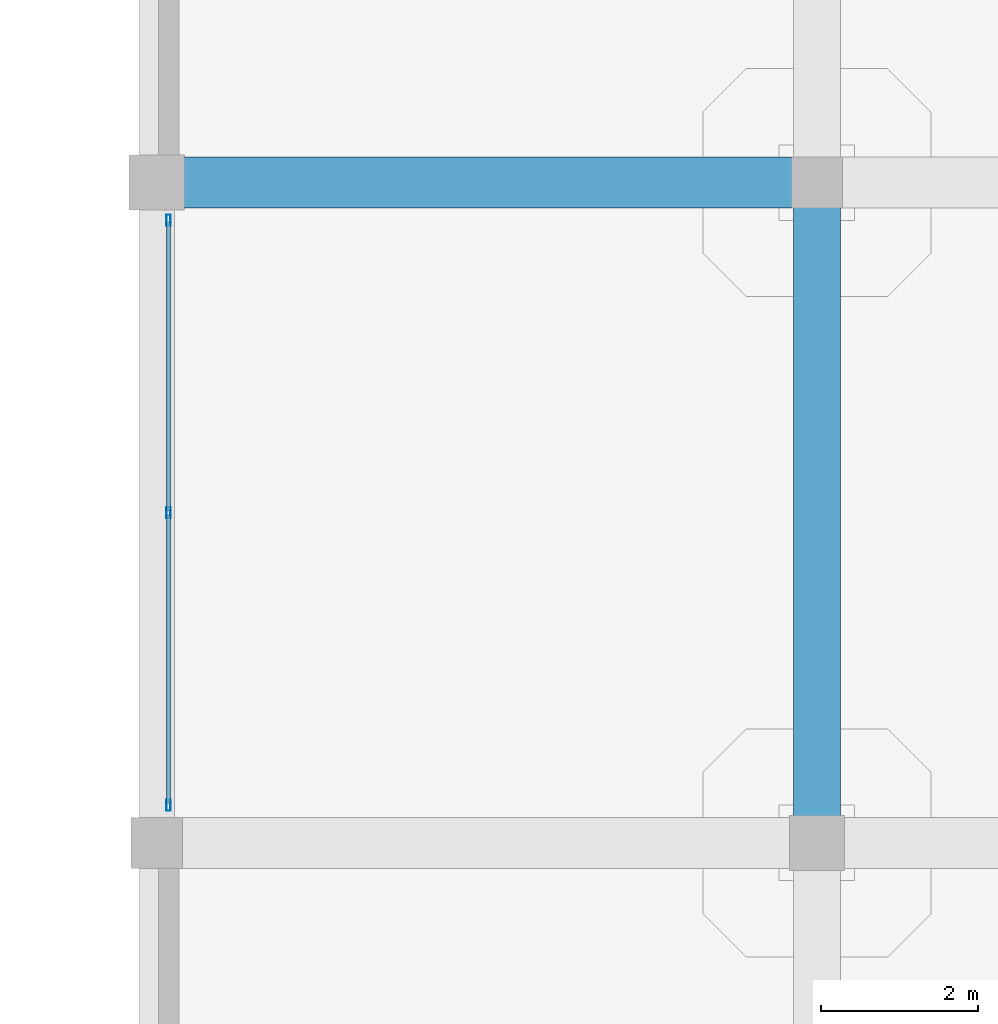
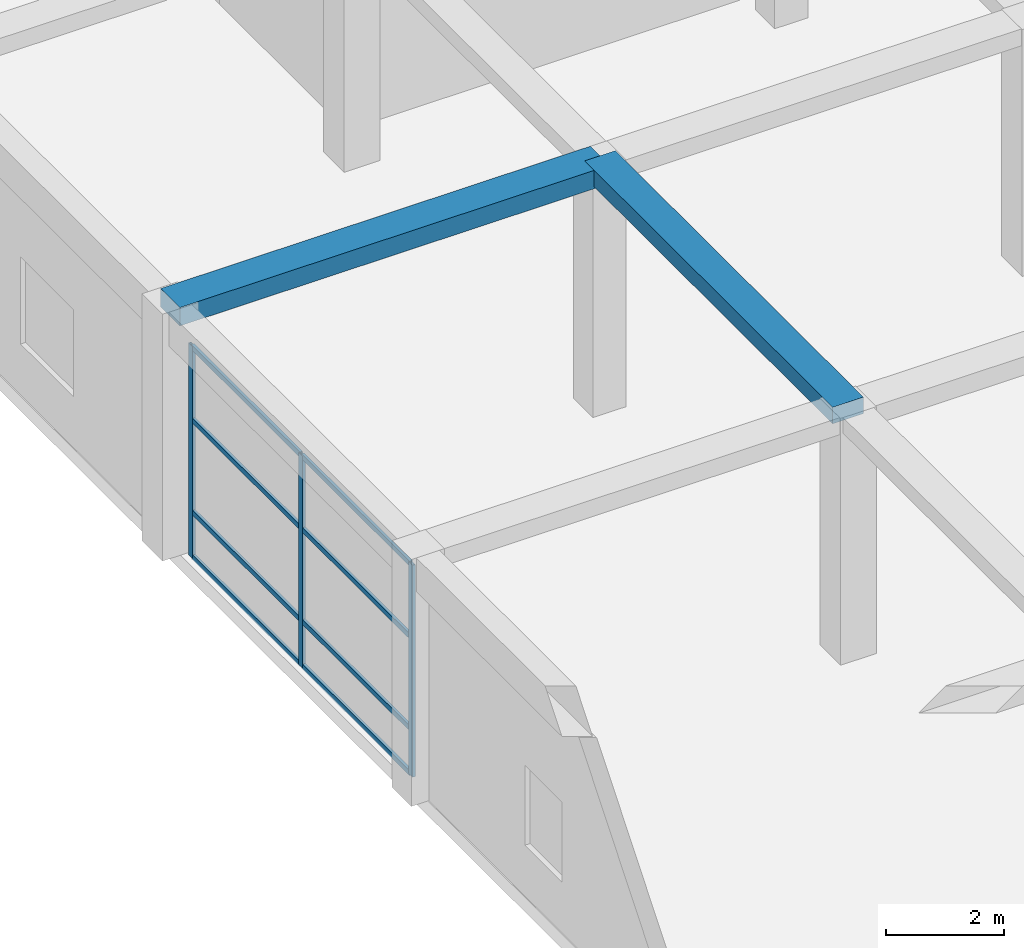
# One storey, part 31 of 95: 11 members, 2 beams, 1 element without a shape of its own.
"""IFC4 building model written with IfcOpenShell, lengths in metres."""

from ifc_helpers import new_model, si_unit, direction, frame, origin, origin_2d, place, context, subcontext, project, spatial, rectangle, hollow_rectangle, extrude, material, material_profile, profile_set, type_object, element, aggregate, save


model = new_model("IFC4")

# Units and contexts
model_context = context("Model", 3, precision=1e-05, world=origin(), true_north=direction((0.0, 1.0)))
body_context = subcontext(model_context, "Body", "Model", "MODEL_VIEW")
ifc_project = project(units=[si_unit("LENGTHUNIT", "METRE"), si_unit("AREAUNIT", "SQUARE_METRE"), si_unit("VOLUMEUNIT", "CUBIC_METRE"), si_unit("PLANEANGLEUNIT", "RADIAN"), si_unit("MASSUNIT", "GRAM", prefix="KILO")], contexts=[model_context])

# Site, building, storey
site_placement = place(None, origin())
site = spatial("IfcSite", under=ifc_project, at=site_placement, CompositionType="ELEMENT")
building_placement = place(site_placement, origin())
building = spatial("IfcBuilding", under=site, at=building_placement, Name="Almacenes y Pasaje Nevantli", CompositionType="ELEMENT")
storey_placement = place(building_placement, frame((0.0, 0.0, 11.39990234375)))
storey = spatial("IfcBuildingStorey", under=building, at=storey_placement, Name="L03", CompositionType="ELEMENT", Elevation=11.39990234375)

# Beams
ifc_material_1 = material(Name="Concrete C35/45", Category="concrete")
ifc_material_profile_1 = material_profile(ifc_material_1, rectangle(XDim=0.60009765625, YDim=0.340087890625, at=origin_2d()), Name="RC-BM-600x340")
ifc_profile_set_1 = profile_set([ifc_material_profile_1], Name="Concrete C35/45")
beam_type_1 = type_object("IfcBeamType", Name="BM-RC-600x340", PredefinedType="BEAM", material=ifc_profile_set_1)
beam_1_placement = place(storey_placement, frame((8.39990234375, 75.60009765625, 4.93017578125), z_axis=(0.0, 1.0, 0.0), x_axis=(-1.0, 0.0, 0.0)))
element("IfcBeam", 1, at=beam_1_placement, inside=storey, type_object=beam_type_1, Name="L03 North-South Reinforced Concrete Beam #2497", PredefinedType="BEAM", context=body_context, shape_type="SweptSolid", body=[
    extrude(rectangle(XDim=0.60009765625, YDim=0.340087890625, at=origin_2d()), origin(), (0.0, 0.0, 1.0), 8.39990234375),
])
ifc_material_2 = material(Name="Concrete C35/45", Category="concrete")
ifc_material_profile_2 = material_profile(ifc_material_2, rectangle(XDim=0.64990234375, YDim=0.3798828125, at=origin_2d()), Name="RC-BM-650x380")
ifc_profile_set_2 = profile_set([ifc_material_profile_2], Name="Concrete C35/45")
beam_type_2 = type_object("IfcBeamType", Name="BM-RC-650x380", PredefinedType="BEAM", material=ifc_profile_set_2)
beam_2_placement = place(storey_placement, frame((0.0, 84.0, 4.91015625), z_axis=(1.0, 0.0, 0.0), x_axis=(0.0, 1.0, 0.0)))
element("IfcBeam", 2, at=beam_2_placement, inside=storey, type_object=beam_type_2, Name="L03 East-West Reinforced Concrete Beam #2392", PredefinedType="BEAM", context=body_context, shape_type="SweptSolid", body=[
    extrude(rectangle(XDim=0.64990234375, YDim=0.3798828125, at=origin_2d()), origin(), (0.0, 0.0, 1.0), 8.39990234375),
])

# Curtain wall, members
ifc_material_3 = material(Name="Thermally Broken Aluminium and Low-E Glass", Category="aluminium")
curtain_wall_type = type_object("IfcCurtainWallType", Name="CW-UNIT-PODIUM", PredefinedType="USERDEFINED", material=ifc_material_3)
curtain_wall_placement = place(storey_placement, origin())
curtain_wall = element("IfcCurtainWall", 3, at=curtain_wall_placement, inside=storey, type_object=curtain_wall_type, Name="L03 West Avenue Unitized Curtain Wall Bay 10", ObjectType="UNITIZED CURTAIN WALL", PredefinedType="USERDEFINED")
ifc_material_4 = material(Name="Thermally Broken Anodized Aluminium", Category="aluminium")
ifc_material_profile_3 = material_profile(ifc_material_4, hollow_rectangle(XDim=0.054931640625, YDim=0.139892578125, WallThickness=0.00341796875, at=origin_2d()), Name="ALU-MUL-55x140")
ifc_profile_set_3 = profile_set([ifc_material_profile_3], Name="Thermally Broken Anodized Aluminium")
member_type_1 = type_object("IfcMemberType", Name="CW-MUL-160", PredefinedType="MULLION", material=ifc_profile_set_3)
member_1_placement = place(storey_placement, frame((0.14990234375, 76.077392578125, 0.0), z_axis=(0.0, 0.0, 1.0), x_axis=(-1.0, 0.0, 0.0)))
member_1 = element("IfcMember", 4, at=member_1_placement, type_object=member_type_1, Name="CW-L03-051 mullion 1", PredefinedType="MULLION", context=body_context, shape_type="SweptSolid", body=[
    extrude(hollow_rectangle(XDim=0.054931640625, YDim=0.139892578125, WallThickness=0.00341796875, at=origin_2d()), origin(), (0.0, 0.0, 1.0), 4.380126953125),
])
member_2_placement = place(storey_placement, frame((0.14990234375, 79.800048828125, 0.0), z_axis=(0.0, 0.0, 1.0), x_axis=(-1.0, 0.0, 0.0)))
member_2 = element("IfcMember", 5, at=member_2_placement, type_object=member_type_1, Name="CW-L03-051 mullion 2", PredefinedType="MULLION", context=body_context, shape_type="SweptSolid", body=[
    extrude(hollow_rectangle(XDim=0.054931640625, YDim=0.139892578125, WallThickness=0.00341796875, at=origin_2d()), origin(), (0.0, 0.0, 1.0), 4.380126953125),
])
member_3_placement = place(storey_placement, frame((0.14990234375, 83.5224609375, 0.0), z_axis=(0.0, 0.0, 1.0), x_axis=(-1.0, 0.0, 0.0)))
member_3 = element("IfcMember", 6, at=member_3_placement, type_object=member_type_1, Name="CW-L03-051 mullion 3", PredefinedType="MULLION", context=body_context, shape_type="SweptSolid", body=[
    extrude(hollow_rectangle(XDim=0.054931640625, YDim=0.139892578125, WallThickness=0.00341796875, at=origin_2d()), origin(), (0.0, 0.0, 1.0), 4.380126953125),
])
ifc_material_5 = material(Name="Thermally Broken Anodized Aluminium", Category="aluminium")
ifc_material_profile_4 = material_profile(ifc_material_5, hollow_rectangle(XDim=0.054931640625, YDim=0.10498046875, WallThickness=0.003173828125, at=origin_2d()), Name="ALU-TRN-55x105")
ifc_profile_set_4 = profile_set([ifc_material_profile_4], Name="Thermally Broken Anodized Aluminium")
member_type_2 = type_object("IfcMemberType", Name="CW-TRN-120", PredefinedType="USERDEFINED", material=ifc_profile_set_4)
member_4_placement = place(storey_placement, frame((0.14990234375, 76.10498046875, 0.027587890625), z_axis=(0.0, 1.0, 0.0), x_axis=(-1.0, 0.0, 0.0)))
member_4 = element("IfcMember", 7, at=member_4_placement, type_object=member_type_2, Name="CW-L03-051 transom 1.1", ObjectType="TRANSOM", PredefinedType="USERDEFINED", context=body_context, shape_type="SweptSolid", body=[
    extrude(hollow_rectangle(XDim=0.054931640625, YDim=0.10498046875, WallThickness=0.003173828125, at=origin_2d()), origin(), (0.0, 0.0, 1.0), 3.66748046875),
])
member_5_placement = place(storey_placement, frame((0.14990234375, 76.10498046875, 0.9501953125), z_axis=(0.0, 1.0, 0.0), x_axis=(-1.0, 0.0, 0.0)))
member_5 = element("IfcMember", 8, at=member_5_placement, type_object=member_type_2, Name="CW-L03-051 transom 1.2", ObjectType="TRANSOM", PredefinedType="USERDEFINED", context=body_context, shape_type="SweptSolid", body=[
    extrude(hollow_rectangle(XDim=0.054931640625, YDim=0.10498046875, WallThickness=0.003173828125, at=origin_2d()), origin(), (0.0, 0.0, 1.0), 3.66748046875),
])
member_6_placement = place(storey_placement, frame((0.14990234375, 76.10498046875, 2.85009765625), z_axis=(0.0, 1.0, 0.0), x_axis=(-1.0, 0.0, 0.0)))
member_6 = element("IfcMember", 9, at=member_6_placement, type_object=member_type_2, Name="CW-L03-051 transom 1.3", ObjectType="TRANSOM", PredefinedType="USERDEFINED", context=body_context, shape_type="SweptSolid", body=[
    extrude(hollow_rectangle(XDim=0.054931640625, YDim=0.10498046875, WallThickness=0.003173828125, at=origin_2d()), origin(), (0.0, 0.0, 1.0), 3.66748046875),
])
member_7_placement = place(storey_placement, frame((0.14990234375, 76.10498046875, 4.3525390625), z_axis=(0.0, 1.0, 0.0), x_axis=(-1.0, 0.0, 0.0)))
member_7 = element("IfcMember", 10, at=member_7_placement, type_object=member_type_2, Name="CW-L03-051 transom 1.4", ObjectType="TRANSOM", PredefinedType="USERDEFINED", context=body_context, shape_type="SweptSolid", body=[
    extrude(hollow_rectangle(XDim=0.054931640625, YDim=0.10498046875, WallThickness=0.003173828125, at=origin_2d()), origin(), (0.0, 0.0, 1.0), 3.66748046875),
])
member_8_placement = place(storey_placement, frame((0.14990234375, 79.827392578125, 0.027587890625), z_axis=(0.0, 1.0, 0.0), x_axis=(-1.0, 0.0, 0.0)))
member_8 = element("IfcMember", 11, at=member_8_placement, type_object=member_type_2, Name="CW-L03-051 transom 2.1", ObjectType="TRANSOM", PredefinedType="USERDEFINED", context=body_context, shape_type="SweptSolid", body=[
    extrude(hollow_rectangle(XDim=0.054931640625, YDim=0.10498046875, WallThickness=0.003173828125, at=origin_2d()), origin(), (0.0, 0.0, 1.0), 3.667724609375),
])
member_9_placement = place(storey_placement, frame((0.14990234375, 79.827392578125, 0.9501953125), z_axis=(0.0, 1.0, 0.0), x_axis=(-1.0, 0.0, 0.0)))
member_9 = element("IfcMember", 12, at=member_9_placement, type_object=member_type_2, Name="CW-L03-051 transom 2.2", ObjectType="TRANSOM", PredefinedType="USERDEFINED", context=body_context, shape_type="SweptSolid", body=[
    extrude(hollow_rectangle(XDim=0.054931640625, YDim=0.10498046875, WallThickness=0.003173828125, at=origin_2d()), origin(), (0.0, 0.0, 1.0), 3.667724609375),
])
member_10_placement = place(storey_placement, frame((0.14990234375, 79.827392578125, 2.85009765625), z_axis=(0.0, 1.0, 0.0), x_axis=(-1.0, 0.0, 0.0)))
member_10 = element("IfcMember", 13, at=member_10_placement, type_object=member_type_2, Name="CW-L03-051 transom 2.3", ObjectType="TRANSOM", PredefinedType="USERDEFINED", context=body_context, shape_type="SweptSolid", body=[
    extrude(hollow_rectangle(XDim=0.054931640625, YDim=0.10498046875, WallThickness=0.003173828125, at=origin_2d()), origin(), (0.0, 0.0, 1.0), 3.667724609375),
])
member_11_placement = place(storey_placement, frame((0.14990234375, 79.827392578125, 4.3525390625), z_axis=(0.0, 1.0, 0.0), x_axis=(-1.0, 0.0, 0.0)))
member_11 = element("IfcMember", 14, at=member_11_placement, type_object=member_type_2, Name="CW-L03-051 transom 2.4", ObjectType="TRANSOM", PredefinedType="USERDEFINED", context=body_context, shape_type="SweptSolid", body=[
    extrude(hollow_rectangle(XDim=0.054931640625, YDim=0.10498046875, WallThickness=0.003173828125, at=origin_2d()), origin(), (0.0, 0.0, 1.0), 3.667724609375),
])
aggregate(curtain_wall, [member_1, member_2, member_3, member_4, member_5, member_6, member_7, member_8, member_9, member_10, member_11])

save(model, "model.ifc")
